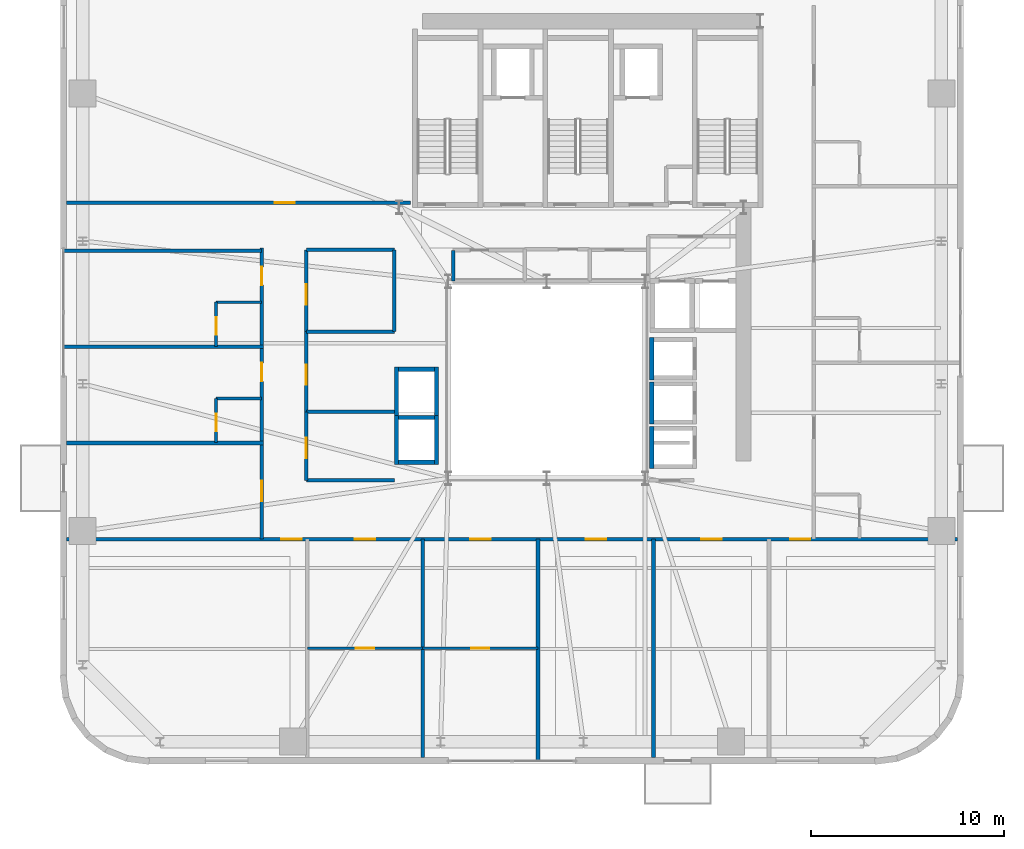
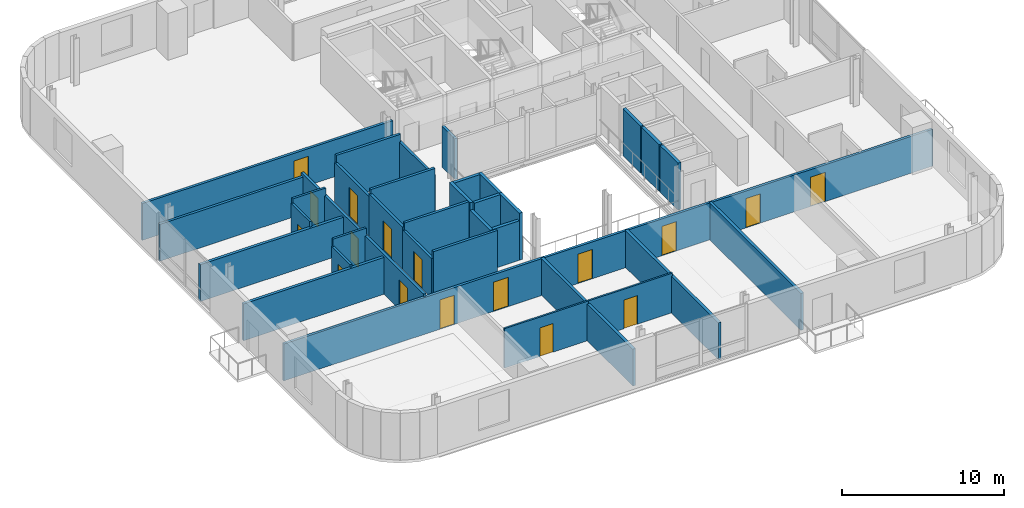
# One storey, part 8 of 15: 34 walls, 17 doors, 17 openings.
"""IFC4 building model written with IfcOpenShell, lengths in metres."""

from ifc_helpers import new_model, si_unit, direction, frame, frame_2d, origin, place, context, subcontext, project, spatial, rectangle, extrude, source, transform, mapped, material, layer, layer_set, type_object, element, fill, save


model = new_model("IFC4")

# Units and contexts
model_context = context("Model", 3, precision=1e-05, world=origin(), true_north=direction((0.0, 1.0)))
body_context = subcontext(model_context, "Body", "Model", "MODEL_VIEW")
ifc_project = project(units=[si_unit("LENGTHUNIT", "METRE"), si_unit("AREAUNIT", "SQUARE_METRE"), si_unit("VOLUMEUNIT", "CUBIC_METRE"), si_unit("PLANEANGLEUNIT", "RADIAN"), si_unit("MASSUNIT", "GRAM", prefix="KILO")], contexts=[model_context])

# Site, building, storey
site_placement = place(None, origin())
site = spatial("IfcSite", under=ifc_project, at=site_placement, CompositionType="ELEMENT")
building_placement = place(site_placement, origin())
building = spatial("IfcBuilding", under=site, at=building_placement, Name="Vardaveli Station Tower", CompositionType="ELEMENT")
storey_placement = place(building_placement, frame((0.0, 0.0, 207.300048828125)))
storey = spatial("IfcBuildingStorey", under=building, at=storey_placement, Name="L53", CompositionType="ELEMENT", Elevation=207.300048828125)

# Walls
ifc_material_1 = material(Name="Concrete C40/50", Category="concrete")
ifc_layer_1 = layer(ifc_material_1, 0.219970703125, Name="Concrete C40/50")
ifc_layer_set_1 = layer_set([ifc_layer_1], Name="Concrete C40/50")
wall_type_1 = type_object("IfcWallType", Name="WAL-FFLOBBY-220", PredefinedType="SOLIDWALL", material=ifc_layer_set_1)
shared_shape_1 = source(origin(), body_context, "Body", "SweptSolid", [
    extrude(rectangle(XDim=2.18994140625, YDim=0.219970703125, at=frame_2d((1.094970703125, 0.0))), origin(), (0.0, 0.0, 1.0), 3.530029296875),
])
for number, where, z_axis, x_axis, name in (
    (1, (41.739990234375, 21.705078125, 0.0), (0.0, 0.0, 1.0), (0.0, 1.0, 0.0), "SHW-HL3-01-L53-W"),
    (2, (41.739990234375, 19.405029296875, 0.0), (0.0, 0.0, 1.0), (0.0, 1.0, 0.0), "SHW-HL3-02-L53-W"),
    (3, (41.739990234375, 17.10498046875, 0.0), (0.0, 0.0, 1.0), (0.0, 1.0, 0.0), "SHW-HL3-03-L53-W"),
):
    element("IfcWall", number, at=place(storey_placement, frame(where, z_axis=z_axis, x_axis=x_axis)), inside=storey, type_object=wall_type_1, Name=name, PredefinedType="SOLIDWALL", context=body_context, shape_type="MappedRepresentation", body=[
        mapped(shared_shape_1, transform((0.0, 0.0, 0.0), scale=1.0)),
    ])
shared_shape_2 = source(origin(), body_context, "Body", "SweptSolid", [
    extrude(rectangle(XDim=1.85009765625, YDim=0.219970703125, at=frame_2d((0.925048828125, 0.0))), origin(), (0.0, 0.0, 1.0), 2.971923828125),
])
wall_1_placement = place(storey_placement, frame((28.625, 17.43994140625, 0.0), z_axis=(0.0, 0.0, 1.0), x_axis=(1.0, 0.0, 0.0)))
element("IfcWall", 4, at=wall_1_placement, inside=storey, type_object=wall_type_1, Name="SHW-OBS-01-L53-S", PredefinedType="SOLIDWALL", context=body_context, shape_type="MappedRepresentation", body=[
    mapped(shared_shape_2, transform((0.0, 0.0, 0.0), scale=1.0)),
])
shared_shape_3 = source(origin(), body_context, "Body", "SweptSolid", [
    extrude(rectangle(XDim=1.85009765625, YDim=0.219970703125, at=frame_2d((0.925048828125, 0.0))), origin(), (0.0, 0.0, 1.0), 3.530029296875),
])
for number, where, z_axis, x_axis, name in (
    (5, (28.625, 19.760009765625, 0.0), (0.0, 0.0, 1.0), (1.0, 0.0, 0.0), "SHW-OBS-01-L53-N"),
    (6, (28.625, 22.260009765625, 0.0), (0.0, 0.0, 1.0), (1.0, 0.0, 0.0), "SHW-OBS-02-L53-N"),
):
    element("IfcWall", number, at=place(storey_placement, frame(where, z_axis=z_axis, x_axis=x_axis)), inside=storey, type_object=wall_type_1, Name=name, PredefinedType="SOLIDWALL", context=body_context, shape_type="MappedRepresentation", body=[
        mapped(shared_shape_3, transform((0.0, 0.0, 0.0), scale=1.0)),
    ])
shared_shape_4 = source(origin(), body_context, "Body", "SweptSolid", [
    extrude(rectangle(XDim=2.5400390625, YDim=0.219970703125, at=frame_2d((1.27001953125, 0.0))), origin(), (0.0, 0.0, 1.0), 2.971923828125),
])
wall_2_placement = place(storey_placement, frame((28.514892578125, 17.330078125, 0.0), z_axis=(0.0, 0.0, 1.0), x_axis=(0.0, 1.0, 0.0)))
element("IfcWall", 7, at=wall_2_placement, inside=storey, type_object=wall_type_1, Name="SHW-OBS-01-L53-W", PredefinedType="SOLIDWALL", context=body_context, shape_type="MappedRepresentation", body=[
    mapped(shared_shape_4, transform((0.0, 0.0, 0.0), scale=1.0)),
])
shared_shape_5 = source(origin(), body_context, "Body", "SweptSolid", [
    extrude(rectangle(XDim=2.5400390625, YDim=0.219970703125, at=frame_2d((1.27001953125, 0.0))), origin(), (0.0, 0.0, 1.0), 3.530029296875),
])
for number, where, z_axis, x_axis, name in (
    (8, (30.5849609375, 17.330078125, 0.0), (0.0, 0.0, 1.0), (0.0, 1.0, 0.0), "SHW-OBS-01-L53-E"),
    (9, (28.514892578125, 19.830078125, 0.0), (0.0, 0.0, 1.0), (0.0, 1.0, 0.0), "SHW-OBS-02-L53-W"),
    (10, (30.5849609375, 19.830078125, 0.0), (0.0, 0.0, 1.0), (0.0, 1.0, 0.0), "SHW-OBS-02-L53-E"),
):
    element("IfcWall", number, at=place(storey_placement, frame(where, z_axis=z_axis, x_axis=x_axis)), inside=storey, type_object=wall_type_1, Name=name, PredefinedType="SOLIDWALL", context=body_context, shape_type="MappedRepresentation", body=[
        mapped(shared_shape_5, transform((0.0, 0.0, 0.0), scale=1.0)),
    ])

# Wall, openings, doors
ifc_material_2 = material(Name="Fire-rated gypsum stud partition")
ifc_layer_2 = layer(ifc_material_2, 0.179931640625, Name="Fire-rated gypsum stud partition")
ifc_layer_set_2 = layer_set([ifc_layer_2], Name="Fire-rated gypsum stud partition")
wall_type_2 = type_object("IfcWallType", Name="WAL-CORR-180", PredefinedType="PARTITIONING", material=ifc_layer_set_2)
shared_shape_6 = source(origin(), body_context, "Body", "SweptSolid", [
    extrude(rectangle(XDim=46.15576171875, YDim=0.179931640625, at=frame_2d((23.077880859375, 0.0))), origin(), (0.0, 0.0, 1.0), 2.77197265625),
])
wall_3_placement = place(storey_placement, frame((11.422119140625, 13.449951171875, 0.0), z_axis=(0.0, 0.0, 1.0), x_axis=(1.0, 0.0, 0.0)))
wall_3 = element("IfcWall", 11, at=wall_3_placement, inside=storey, type_object=wall_type_2, Name="W-L53-CS", PredefinedType="PARTITIONING", context=body_context, shape_type="MappedRepresentation", body=[
    mapped(shared_shape_6, transform((0.0, 0.0, 0.0), scale=1.0)),
])
shared_shape_7 = source(origin(), body_context, "Body", "SweptSolid", [
    extrude(rectangle(XDim=1.050048828125, YDim=2.199951171875, at=frame_2d((0.52490234375, 1.10009765625))), frame((0.0, 0.10009765625, 0.0), z_axis=(0.0, -1.0, 0.0), x_axis=(1.0, 0.0, 0.0)), (0.0, 0.0, 1.0), 0.199951171875),
])
opening_1_placement = place(wall_3_placement, frame((11.117919921875, 0.0, 0.0)))
opening_1 = element("IfcOpeningElement", 12, at=opening_1_placement, cuts=wall_3, Name="Opening D-05", PredefinedType="OPENING", context=body_context, shape_type="MappedRepresentation", body=[
    mapped(shared_shape_7, transform((0.0, 0.0, 0.0), scale=1.0)),
])
opening_2_placement = place(wall_3_placement, frame((14.939208984375, 0.0, 0.0)))
opening_2 = element("IfcOpeningElement", 13, at=opening_2_placement, cuts=wall_3, Name="Opening D-05", PredefinedType="OPENING", context=body_context, shape_type="MappedRepresentation", body=[
    mapped(shared_shape_7, transform((0.0, 0.0, 0.0), scale=1.0)),
])
opening_3_placement = place(wall_3_placement, frame((20.921630859375, 0.0, 0.0)))
opening_3 = element("IfcOpeningElement", 14, at=opening_3_placement, cuts=wall_3, Name="Opening D-05", PredefinedType="OPENING", context=body_context, shape_type="MappedRepresentation", body=[
    mapped(shared_shape_7, transform((0.0, 0.0, 0.0), scale=1.0)),
])
opening_4_placement = place(wall_3_placement, frame((26.904296875, 0.0, 0.0)))
opening_4 = element("IfcOpeningElement", 15, at=opening_4_placement, cuts=wall_3, Name="Opening D-05", PredefinedType="OPENING", context=body_context, shape_type="MappedRepresentation", body=[
    mapped(shared_shape_7, transform((0.0, 0.0, 0.0), scale=1.0)),
])
opening_5_placement = place(wall_3_placement, frame((32.88671875, 0.0, 0.0)))
opening_5 = element("IfcOpeningElement", 16, at=opening_5_placement, cuts=wall_3, Name="Opening D-05", PredefinedType="OPENING", context=body_context, shape_type="MappedRepresentation", body=[
    mapped(shared_shape_7, transform((0.0, 0.0, 0.0), scale=1.0)),
])
opening_6_placement = place(wall_3_placement, frame((37.498046875, 0.0, 0.0)))
opening_6 = element("IfcOpeningElement", 17, at=opening_6_placement, cuts=wall_3, Name="Opening D-05", PredefinedType="OPENING", context=body_context, shape_type="MappedRepresentation", body=[
    mapped(shared_shape_7, transform((0.0, 0.0, 0.0), scale=1.0)),
])
ifc_material_3 = material(Name="Walnut veneer acoustic fire door")
door_type_1 = type_object("IfcDoorType", Name="DR-SUITE-1050x2200", OperationType="NOTDEFINED", PredefinedType="DOOR", material=ifc_material_3)
shared_shape_8 = source(origin(), body_context, "Body", "SweptSolid", [
    extrude(rectangle(XDim=1.050048828125, YDim=2.199951171875, at=frame_2d((0.52490234375, 1.10009765625))), frame((0.0, 0.02490234375, 0.0), z_axis=(0.0, -1.0, 0.0), x_axis=(1.0, 0.0, 0.0)), (0.0, 0.0, 1.0), 0.050048828125),
])
door_1_placement = place(opening_1_placement, origin())
door_1 = element("IfcDoor", 18, at=door_1_placement, inside=storey, type_object=door_type_1, Name="D-L53-SA1", OperationType="SINGLE_SWING_LEFT", OverallHeight=2.199951171875, OverallWidth=1.050048828125, PredefinedType="DOOR", context=body_context, shape_type="MappedRepresentation", body=[
    mapped(shared_shape_8, transform((0.0, 0.0, 0.0), scale=1.0)),
])
fill(opening_1, door_1)
door_2_placement = place(opening_2_placement, origin())
door_2 = element("IfcDoor", 19, at=door_2_placement, inside=storey, type_object=door_type_1, Name="D-L53-SCB2", OperationType="SINGLE_SWING_RIGHT", OverallHeight=2.199951171875, OverallWidth=1.050048828125, PredefinedType="DOOR", context=body_context, shape_type="MappedRepresentation", body=[
    mapped(shared_shape_8, transform((0.0, 0.0, 0.0), scale=1.0)),
])
fill(opening_2, door_2)
door_3_placement = place(opening_3_placement, origin())
door_3 = element("IfcDoor", 20, at=door_3_placement, inside=storey, type_object=door_type_1, Name="D-L53-SCB3", OperationType="SINGLE_SWING_LEFT", OverallHeight=2.199951171875, OverallWidth=1.050048828125, PredefinedType="DOOR", context=body_context, shape_type="MappedRepresentation", body=[
    mapped(shared_shape_8, transform((0.0, 0.0, 0.0), scale=1.0)),
])
fill(opening_3, door_3)
door_4_placement = place(opening_4_placement, origin())
door_4 = element("IfcDoor", 21, at=door_4_placement, inside=storey, type_object=door_type_1, Name="D-L53-SA4", OperationType="SINGLE_SWING_RIGHT", OverallHeight=2.199951171875, OverallWidth=1.050048828125, PredefinedType="DOOR", context=body_context, shape_type="MappedRepresentation", body=[
    mapped(shared_shape_8, transform((0.0, 0.0, 0.0), scale=1.0)),
])
fill(opening_4, door_4)
door_5_placement = place(opening_5_placement, origin())
door_5 = element("IfcDoor", 22, at=door_5_placement, inside=storey, type_object=door_type_1, Name="D-L53-SA5", OperationType="SINGLE_SWING_LEFT", OverallHeight=2.199951171875, OverallWidth=1.050048828125, PredefinedType="DOOR", context=body_context, shape_type="MappedRepresentation", body=[
    mapped(shared_shape_8, transform((0.0, 0.0, 0.0), scale=1.0)),
])
fill(opening_5, door_5)
door_6_placement = place(opening_6_placement, origin())
door_6 = element("IfcDoor", 23, at=door_6_placement, inside=storey, type_object=door_type_1, Name="D-L53-SA6", OperationType="SINGLE_SWING_RIGHT", OverallHeight=2.199951171875, OverallWidth=1.050048828125, PredefinedType="DOOR", context=body_context, shape_type="MappedRepresentation", body=[
    mapped(shared_shape_8, transform((0.0, 0.0, 0.0), scale=1.0)),
])
fill(opening_6, door_6)

# Wall, opening, door
shared_shape_9 = source(origin(), body_context, "Body", "SweptSolid", [
    extrude(rectangle(XDim=17.827880859375, YDim=0.179931640625, at=frame_2d((8.9140625, 0.0))), origin(), (0.0, 0.0, 1.0), 2.77197265625),
])
wall_4_placement = place(storey_placement, frame((11.422119140625, 30.8798828125, 0.0), z_axis=(0.0, 0.0, 1.0), x_axis=(1.0, 0.0, 0.0)))
wall_4 = element("IfcWall", 24, at=wall_4_placement, inside=storey, type_object=wall_type_2, Name="W-L53-CNWS", PredefinedType="PARTITIONING", context=body_context, shape_type="MappedRepresentation", body=[
    mapped(shared_shape_9, transform((0.0, 0.0, 0.0), scale=1.0)),
])
opening_7_placement = place(wall_4_placement, frame((10.778076171875, 0.0, 0.0)))
opening_7 = element("IfcOpeningElement", 25, at=opening_7_placement, cuts=wall_4, Name="Opening D-05", PredefinedType="OPENING", context=body_context, shape_type="MappedRepresentation", body=[
    mapped(shared_shape_7, transform((0.0, 0.0, 0.0), scale=1.0)),
])
door_7_placement = place(opening_7_placement, origin())
door_7 = element("IfcDoor", 26, at=door_7_placement, inside=storey, type_object=door_type_1, Name="D-L53-GNW1", OperationType="SINGLE_SWING_LEFT", OverallHeight=2.199951171875, OverallWidth=1.050048828125, PredefinedType="DOOR", context=body_context, shape_type="MappedRepresentation", body=[
    mapped(shared_shape_8, transform((0.0, 0.0, 0.0), scale=1.0)),
])
fill(opening_7, door_7)

shared_shape_10 = source(origin(), body_context, "Body", "SweptSolid", [
    extrude(rectangle(XDim=4.239990234375, YDim=0.179931640625, at=frame_2d((2.1201171875, 0.0))), origin(), (0.0, 0.0, 1.0), 2.971923828125),
])
wall_5_placement = place(storey_placement, frame((23.840087890625, 24.199951171875, 0.0), z_axis=(0.0, 0.0, 1.0), x_axis=(0.0, 1.0, 0.0)))
wall_5 = element("IfcWall", 27, at=wall_5_placement, inside=storey, type_object=wall_type_2, Name="W-L53-ATWC-W", PredefinedType="PARTITIONING", context=body_context, shape_type="MappedRepresentation", body=[
    mapped(shared_shape_10, transform((0.0, 0.0, 0.0), scale=1.0)),
])
opening_8_placement = place(wall_5_placement, frame((1.39990234375, 0.0, 0.0)))
opening_8 = element("IfcOpeningElement", 28, at=opening_8_placement, cuts=wall_5, Name="Opening D-05", PredefinedType="OPENING", context=body_context, shape_type="MappedRepresentation", body=[
    mapped(shared_shape_7, transform((0.0, 0.0, 0.0), scale=1.0)),
])
door_8_placement = place(opening_8_placement, origin())
door_8 = element("IfcDoor", 29, at=door_8_placement, inside=storey, type_object=door_type_1, Name="D-L53-ATW3", OperationType="SINGLE_SWING_RIGHT", OverallHeight=2.199951171875, OverallWidth=1.050048828125, PredefinedType="DOOR", context=body_context, shape_type="MappedRepresentation", body=[
    mapped(shared_shape_8, transform((0.0, 0.0, 0.0), scale=1.0)),
])
fill(opening_8, door_8)

# Wall
wall_6_placement = place(storey_placement, frame((28.39990234375, 24.199951171875, 0.0), z_axis=(0.0, 0.0, 1.0), x_axis=(0.0, 1.0, 0.0)))
element("IfcWall", 30, at=wall_6_placement, inside=storey, type_object=wall_type_2, Name="W-L53-ATWC-E", PredefinedType="PARTITIONING", context=body_context, shape_type="MappedRepresentation", body=[
    mapped(shared_shape_10, transform((0.0, 0.0, 0.0), scale=1.0)),
])

# Wall, opening, door
shared_shape_11 = source(origin(), body_context, "Body", "SweptSolid", [
    extrude(rectangle(XDim=4.14990234375, YDim=0.179931640625, at=frame_2d((2.074951171875, 0.0))), origin(), (0.0, 0.0, 1.0), 3.19189453125),
])
wall_7_placement = place(storey_placement, frame((23.840087890625, 20.050048828125, 0.0), z_axis=(0.0, 0.0, 1.0), x_axis=(0.0, 1.0, 0.0)))
wall_7 = element("IfcWall", 31, at=wall_7_placement, inside=storey, type_object=wall_type_2, Name="W-L53-ATWB-W", PredefinedType="PARTITIONING", context=body_context, shape_type="MappedRepresentation", body=[
    mapped(shared_shape_11, transform((0.0, 0.0, 0.0), scale=1.0)),
])
opening_9_placement = place(wall_7_placement, frame((1.39990234375, 0.0, 0.0)))
opening_9 = element("IfcOpeningElement", 32, at=opening_9_placement, cuts=wall_7, Name="Opening D-05", PredefinedType="OPENING", context=body_context, shape_type="MappedRepresentation", body=[
    mapped(shared_shape_7, transform((0.0, 0.0, 0.0), scale=1.0)),
])
door_9_placement = place(opening_9_placement, origin())
door_9 = element("IfcDoor", 33, at=door_9_placement, inside=storey, type_object=door_type_1, Name="D-L53-ATW2", OperationType="SINGLE_SWING_LEFT", OverallHeight=2.199951171875, OverallWidth=1.050048828125, PredefinedType="DOOR", context=body_context, shape_type="MappedRepresentation", body=[
    mapped(shared_shape_8, transform((0.0, 0.0, 0.0), scale=1.0)),
])
fill(opening_9, door_9)

shared_shape_12 = source(origin(), body_context, "Body", "SweptSolid", [
    extrude(rectangle(XDim=3.550048828125, YDim=0.179931640625, at=frame_2d((1.77490234375, 0.0))), origin(), (0.0, 0.0, 1.0), 2.971923828125),
])
wall_8_placement = place(storey_placement, frame((23.840087890625, 16.5, 0.0), z_axis=(0.0, 0.0, 1.0), x_axis=(0.0, 1.0, 0.0)))
wall_8 = element("IfcWall", 34, at=wall_8_placement, inside=storey, type_object=wall_type_2, Name="W-L53-ATWA-W", PredefinedType="PARTITIONING", context=body_context, shape_type="MappedRepresentation", body=[
    mapped(shared_shape_12, transform((0.0, 0.0, 0.0), scale=1.0)),
])
opening_10_placement = place(wall_8_placement, frame((1.14990234375, 0.0, 0.0)))
opening_10 = element("IfcOpeningElement", 35, at=opening_10_placement, cuts=wall_8, Name="Opening D-05", PredefinedType="OPENING", context=body_context, shape_type="MappedRepresentation", body=[
    mapped(shared_shape_7, transform((0.0, 0.0, 0.0), scale=1.0)),
])
door_10_placement = place(opening_10_placement, origin())
door_10 = element("IfcDoor", 36, at=door_10_placement, inside=storey, type_object=door_type_1, Name="D-L53-ATW1", OperationType="SINGLE_SWING_LEFT", OverallHeight=2.199951171875, OverallWidth=1.050048828125, PredefinedType="DOOR", context=body_context, shape_type="MappedRepresentation", body=[
    mapped(shared_shape_8, transform((0.0, 0.0, 0.0), scale=1.0)),
])
fill(opening_10, door_10)

ifc_material_4 = material(Name="Moisture-resistant stud partition")
ifc_layer_3 = layer(ifc_material_4, 0.14990234375, Name="Moisture-resistant stud partition")
ifc_layer_set_3 = layer_set([ifc_layer_3], Name="Moisture-resistant stud partition")
wall_type_3 = type_object("IfcWallType", Name="WAL-WET-150", PredefinedType="PARTITIONING", material=ifc_layer_set_3)
shared_shape_13 = source(origin(), body_context, "Body", "SweptSolid", [
    extrude(rectangle(XDim=2.2900390625, YDim=0.14990234375, at=frame_2d((1.14501953125, 0.0))), origin(), (0.0, 0.0, 1.0), 2.971923828125),
])
wall_9_placement = place(storey_placement, frame((19.159912109375, 18.452880859375, 0.0), z_axis=(0.0, 0.0, 1.0), x_axis=(0.0, 1.0, 0.0)))
wall_9 = element("IfcWall", 37, at=wall_9_placement, inside=storey, type_object=wall_type_3, Name="W-L53-BW2-W", PredefinedType="PARTITIONING", context=body_context, shape_type="MappedRepresentation", body=[
    mapped(shared_shape_13, transform((0.0, 0.0, 0.0), scale=1.0)),
])
shared_shape_14 = source(origin(), body_context, "Body", "SweptSolid", [
    extrude(rectangle(XDim=0.89990234375, YDim=2.10009765625, at=frame_2d((0.449951171875, 1.050048828125))), frame((0.0, 0.0849609375, 0.0), z_axis=(0.0, -1.0, 0.0), x_axis=(1.0, 0.0, 0.0)), (0.0, 0.0, 1.0), 0.169921875),
])
opening_11_placement = place(wall_9_placement, frame((0.60009765625, 0.0, 0.0)))
opening_11 = element("IfcOpeningElement", 38, at=opening_11_placement, cuts=wall_9, Name="Opening D-08", PredefinedType="OPENING", context=body_context, shape_type="MappedRepresentation", body=[
    mapped(shared_shape_14, transform((0.0, 0.0, 0.0), scale=1.0)),
])
ifc_material_5 = material(Name="Moisture-resistant oak door")
door_type_2 = type_object("IfcDoorType", Name="DR-BATH-900x2100", OperationType="NOTDEFINED", PredefinedType="DOOR", material=ifc_material_5)
shared_shape_15 = source(origin(), body_context, "Body", "SweptSolid", [
    extrude(rectangle(XDim=0.89990234375, YDim=2.10009765625, at=frame_2d((0.449951171875, 1.050048828125))), frame((0.0, 0.02490234375, 0.0), z_axis=(0.0, -1.0, 0.0), x_axis=(1.0, 0.0, 0.0)), (0.0, 0.0, 1.0), 0.050048828125),
])
door_11_placement = place(opening_11_placement, origin())
door_11 = element("IfcDoor", 39, at=door_11_placement, inside=storey, type_object=door_type_2, Name="D-L53-BW2", OperationType="SINGLE_SWING_RIGHT", OverallHeight=2.10009765625, OverallWidth=0.89990234375, PredefinedType="DOOR", context=body_context, shape_type="MappedRepresentation", body=[
    mapped(shared_shape_15, transform((0.0, 0.0, 0.0), scale=1.0)),
])
fill(opening_11, door_11)

# Walls
shared_shape_16 = source(origin(), body_context, "Body", "SweptSolid", [
    extrude(rectangle(XDim=2.360107421875, YDim=0.14990234375, at=frame_2d((1.18017578125, 0.0))), origin(), (0.0, 0.0, 1.0), 3.530029296875),
])
for number, where, z_axis, x_axis, name in (
    (40, (19.159912109375, 20.742919921875, 0.0), (0.0, 0.0, 1.0), (1.0, 0.0, 0.0), "W-L53-BW2-N"),
    (41, (19.159912109375, 25.72705078125, 0.0), (0.0, 0.0, 1.0), (1.0, 0.0, 0.0), "W-L53-BW3-N"),
):
    element("IfcWall", number, at=place(storey_placement, frame(where, z_axis=z_axis, x_axis=x_axis)), inside=storey, type_object=wall_type_3, Name=name, PredefinedType="PARTITIONING", context=body_context, shape_type="MappedRepresentation", body=[
        mapped(shared_shape_16, transform((0.0, 0.0, 0.0), scale=1.0)),
    ])
shared_shape_17 = source(origin(), body_context, "Body", "SweptSolid", [
    extrude(rectangle(XDim=1.599853515625, YDim=0.179931640625, at=frame_2d((0.7998046875, 0.0))), origin(), (0.0, 0.0, 1.0), 3.072021484375),
])
wall_10_placement = place(storey_placement, frame((31.449951171875, 26.820068359375, 0.0), z_axis=(0.0, 0.0, 1.0), x_axis=(0.0, 1.0, 0.0)))
element("IfcWall", 42, at=wall_10_placement, inside=storey, type_object=wall_type_2, Name="W-L53-CS2A-W", PredefinedType="PARTITIONING", context=body_context, shape_type="MappedRepresentation", body=[
    mapped(shared_shape_17, transform((0.0, 0.0, 0.0), scale=1.0)),
])

# Wall, openings, doors
shared_shape_18 = source(origin(), body_context, "Body", "SweptSolid", [
    extrude(rectangle(XDim=15.10009765625, YDim=0.179931640625, at=frame_2d((7.550048828125, 0.0))), origin(), (0.0, 0.0, 1.0), 2.971923828125),
])
wall_11_placement = place(storey_placement, frame((21.52001953125, 13.449951171875, 0.0), z_axis=(0.0, 0.0, 1.0), x_axis=(0.0, 1.0, 0.0)))
wall_11 = element("IfcWall", 43, at=wall_11_placement, inside=storey, type_object=wall_type_2, Name="W-L53-CW", PredefinedType="PARTITIONING", context=body_context, shape_type="MappedRepresentation", body=[
    mapped(shared_shape_18, transform((0.0, 0.0, 0.0), scale=1.0)),
])
opening_12_placement = place(wall_11_placement, frame((1.9716796875, 0.0, 0.0)))
opening_12 = element("IfcOpeningElement", 44, at=opening_12_placement, cuts=wall_11, Name="Opening D-05", PredefinedType="OPENING", context=body_context, shape_type="MappedRepresentation", body=[
    mapped(shared_shape_7, transform((0.0, 0.0, 0.0), scale=1.0)),
])
shared_shape_19 = source(origin(), body_context, "Body", "SweptSolid", [
    extrude(rectangle(XDim=0.949951171875, YDim=2.14990234375, at=frame_2d((0.47509765625, 1.074951171875))), frame((0.0, 0.10009765625, 0.0), z_axis=(0.0, -1.0, 0.0), x_axis=(1.0, 0.0, 0.0)), (0.0, 0.0, 1.0), 0.199951171875),
])
opening_13_placement = place(wall_11_placement, frame((8.179931640625, 0.0, 0.0)))
opening_13 = element("IfcOpeningElement", 45, at=opening_13_placement, cuts=wall_11, Name="Opening D-06", PredefinedType="OPENING", context=body_context, shape_type="MappedRepresentation", body=[
    mapped(shared_shape_19, transform((0.0, 0.0, 0.0), scale=1.0)),
])
opening_14_placement = place(wall_11_placement, frame((13.163330078125, 0.0, 0.0)))
opening_14 = element("IfcOpeningElement", 46, at=opening_14_placement, cuts=wall_11, Name="Opening D-06", PredefinedType="OPENING", context=body_context, shape_type="MappedRepresentation", body=[
    mapped(shared_shape_19, transform((0.0, 0.0, 0.0), scale=1.0)),
])
door_12_placement = place(opening_12_placement, origin())
door_12 = element("IfcDoor", 47, at=door_12_placement, inside=storey, type_object=door_type_1, Name="D-L53-GW1", OperationType="SINGLE_SWING_RIGHT", OverallHeight=2.199951171875, OverallWidth=1.050048828125, PredefinedType="DOOR", context=body_context, shape_type="MappedRepresentation", body=[
    mapped(shared_shape_8, transform((0.0, 0.0, 0.0), scale=1.0)),
])
fill(opening_12, door_12)
ifc_material_6 = material(Name="Oak veneer acoustic fire door")
door_type_3 = type_object("IfcDoorType", Name="DR-GUEST-950x2150", OperationType="NOTDEFINED", PredefinedType="DOOR", material=ifc_material_6)
shared_shape_20 = source(origin(), body_context, "Body", "SweptSolid", [
    extrude(rectangle(XDim=0.949951171875, YDim=2.14990234375, at=frame_2d((0.47509765625, 1.074951171875))), frame((0.0, 0.02490234375, 0.0), z_axis=(0.0, -1.0, 0.0), x_axis=(1.0, 0.0, 0.0)), (0.0, 0.0, 1.0), 0.050048828125),
])
door_13_placement = place(opening_13_placement, origin())
door_13 = element("IfcDoor", 48, at=door_13_placement, inside=storey, type_object=door_type_3, Name="D-L53-GW2", OperationType="SINGLE_SWING_LEFT", OverallHeight=2.14990234375, OverallWidth=0.949951171875, PredefinedType="DOOR", context=body_context, shape_type="MappedRepresentation", body=[
    mapped(shared_shape_20, transform((0.0, 0.0, 0.0), scale=1.0)),
])
fill(opening_13, door_13)
door_14_placement = place(opening_14_placement, origin())
door_14 = element("IfcDoor", 49, at=door_14_placement, inside=storey, type_object=door_type_3, Name="D-L53-GW3", OperationType="SINGLE_SWING_RIGHT", OverallHeight=2.14990234375, OverallWidth=0.949951171875, PredefinedType="DOOR", context=body_context, shape_type="MappedRepresentation", body=[
    mapped(shared_shape_20, transform((0.0, 0.0, 0.0), scale=1.0)),
])
fill(opening_14, door_14)

# Wall, opening, door
ifc_material_7 = material(Name="Gypsum board stud partition")
ifc_layer_4 = layer(ifc_material_7, 0.125, Name="Gypsum board stud partition")
ifc_layer_set_4 = layer_set([ifc_layer_4], Name="Gypsum board stud partition")
wall_type_4 = type_object("IfcWallType", Name="WAL-INT-125", PredefinedType="PARTITIONING", material=ifc_layer_set_4)
shared_shape_21 = source(origin(), body_context, "Body", "SweptSolid", [
    extrude(rectangle(XDim=5.98291015625, YDim=0.125, at=frame_2d((2.991455078125, 0.0))), origin(), (0.0, 0.0, 1.0), 2.971923828125),
])
wall_12_placement = place(storey_placement, frame((29.8720703125, 7.800048828125, 0.0), z_axis=(0.0, 0.0, 1.0), x_axis=(1.0, 0.0, 0.0)))
wall_12 = element("IfcWall", 50, at=wall_12_placement, inside=storey, type_object=wall_type_4, Name="W-L53-SCM3", PredefinedType="PARTITIONING", context=body_context, shape_type="MappedRepresentation", body=[
    mapped(shared_shape_21, transform((0.0, 0.0, 0.0), scale=1.0)),
])
shared_shape_22 = source(origin(), body_context, "Body", "SweptSolid", [
    extrude(rectangle(XDim=0.949951171875, YDim=2.14990234375, at=frame_2d((0.47509765625, 1.074951171875))), frame((0.0, 0.072509765625, 0.0), z_axis=(0.0, -1.0, 0.0), x_axis=(1.0, 0.0, 0.0)), (0.0, 0.0, 1.0), 0.14501953125),
])
opening_15_placement = place(wall_12_placement, frame((2.51123046875, 0.0, 0.0)))
opening_15 = element("IfcOpeningElement", 51, at=opening_15_placement, cuts=wall_12, Name="Opening D-11", PredefinedType="OPENING", context=body_context, shape_type="MappedRepresentation", body=[
    mapped(shared_shape_22, transform((0.0, 0.0, 0.0), scale=1.0)),
])
ifc_material_8 = material(Name="Oak veneer internal suite door")
door_type_4 = type_object("IfcDoorType", Name="DR-INT-950x2150", OperationType="NOTDEFINED", PredefinedType="DOOR", material=ifc_material_8)
door_15_placement = place(opening_15_placement, origin())
door_15 = element("IfcDoor", 52, at=door_15_placement, inside=storey, type_object=door_type_4, Name="D-L53-SCF3", OperationType="SINGLE_SWING_LEFT", OverallHeight=2.14990234375, OverallWidth=0.949951171875, PredefinedType="DOOR", context=body_context, shape_type="MappedRepresentation", body=[
    mapped(shared_shape_20, transform((0.0, 0.0, 0.0), scale=1.0)),
])
fill(opening_15, door_15)

shared_shape_23 = source(origin(), body_context, "Body", "SweptSolid", [
    extrude(rectangle(XDim=5.982177734375, YDim=0.125, at=frame_2d((2.9912109375, 0.0))), origin(), (0.0, 0.0, 1.0), 2.971923828125),
])
wall_13_placement = place(storey_placement, frame((23.889892578125, 7.800048828125, 0.0), z_axis=(0.0, 0.0, 1.0), x_axis=(1.0, 0.0, 0.0)))
wall_13 = element("IfcWall", 53, at=wall_13_placement, inside=storey, type_object=wall_type_4, Name="W-L53-SCM2", PredefinedType="PARTITIONING", context=body_context, shape_type="MappedRepresentation", body=[
    mapped(shared_shape_23, transform((0.0, 0.0, 0.0), scale=1.0)),
])
opening_16_placement = place(wall_13_placement, frame((2.51123046875, 0.0, 0.0)))
opening_16 = element("IfcOpeningElement", 54, at=opening_16_placement, cuts=wall_13, Name="Opening D-11", PredefinedType="OPENING", context=body_context, shape_type="MappedRepresentation", body=[
    mapped(shared_shape_22, transform((0.0, 0.0, 0.0), scale=1.0)),
])
door_16_placement = place(opening_16_placement, origin())
door_16 = element("IfcDoor", 55, at=door_16_placement, inside=storey, type_object=door_type_4, Name="D-L53-SCF2", OperationType="SINGLE_SWING_RIGHT", OverallHeight=2.14990234375, OverallWidth=0.949951171875, PredefinedType="DOOR", context=body_context, shape_type="MappedRepresentation", body=[
    mapped(shared_shape_20, transform((0.0, 0.0, 0.0), scale=1.0)),
])
fill(opening_16, door_16)

shared_shape_24 = source(origin(), body_context, "Body", "SweptSolid", [
    extrude(rectangle(XDim=2.2900390625, YDim=0.14990234375, at=frame_2d((1.14501953125, 0.0))), origin(), (0.0, 0.0, 1.0), 3.19189453125),
])
wall_14_placement = place(storey_placement, frame((19.159912109375, 23.43701171875, 0.0), z_axis=(0.0, 0.0, 1.0), x_axis=(0.0, 1.0, 0.0)))
wall_14 = element("IfcWall", 56, at=wall_14_placement, inside=storey, type_object=wall_type_3, Name="W-L53-BW3-W", PredefinedType="PARTITIONING", context=body_context, shape_type="MappedRepresentation", body=[
    mapped(shared_shape_24, transform((0.0, 0.0, 0.0), scale=1.0)),
])
opening_17_placement = place(wall_14_placement, frame((0.60009765625, 0.0, 0.0)))
opening_17 = element("IfcOpeningElement", 57, at=opening_17_placement, cuts=wall_14, Name="Opening D-08", PredefinedType="OPENING", context=body_context, shape_type="MappedRepresentation", body=[
    mapped(shared_shape_14, transform((0.0, 0.0, 0.0), scale=1.0)),
])
door_17_placement = place(opening_17_placement, origin())
door_17 = element("IfcDoor", 58, at=door_17_placement, inside=storey, type_object=door_type_2, Name="D-L53-BW3", OperationType="SINGLE_SWING_LEFT", OverallHeight=2.10009765625, OverallWidth=0.89990234375, PredefinedType="DOOR", context=body_context, shape_type="MappedRepresentation", body=[
    mapped(shared_shape_15, transform((0.0, 0.0, 0.0), scale=1.0)),
])
fill(opening_17, door_17)

# Walls
ifc_material_9 = material(Name="Acoustic twin-stud gypsum partition")
ifc_layer_5 = layer(ifc_material_9, 0.199951171875, Name="Acoustic twin-stud gypsum partition")
ifc_layer_set_5 = layer_set([ifc_layer_5], Name="Acoustic twin-stud gypsum partition")
wall_type_5 = type_object("IfcWallType", Name="WAL-PARTY-200", PredefinedType="PARTITIONING", material=ifc_layer_set_5)
shared_shape_25 = source(origin(), body_context, "Body", "SweptSolid", [
    extrude(rectangle(XDim=11.327880859375, YDim=0.199951171875, at=frame_2d((5.6640625, 0.0))), origin(), (0.0, 0.0, 1.0), 2.77197265625),
])
for number, where, z_axis, x_axis, name in (
    (59, (29.8720703125, 2.1220703125, 0.0), (0.0, 0.0, 1.0), (0.0, 1.0, 0.0), "W-L53-PS2"),
    (60, (41.8369140625, 2.1220703125, 0.0), (0.0, 0.0, 1.0), (0.0, 1.0, 0.0), "W-L53-PS4"),
):
    element("IfcWall", number, at=place(storey_placement, frame(where, z_axis=z_axis, x_axis=x_axis)), inside=storey, type_object=wall_type_5, Name=name, PredefinedType="PARTITIONING", context=body_context, shape_type="MappedRepresentation", body=[
        mapped(shared_shape_25, transform((0.0, 0.0, 0.0), scale=1.0)),
    ])
shared_shape_26 = source(origin(), body_context, "Body", "SweptSolid", [
    extrude(rectangle(XDim=11.52001953125, YDim=0.199951171875, at=frame_2d((5.760009765625, 0.0))), origin(), (0.0, 0.0, 1.0), 2.77197265625),
])
wall_15_placement = place(storey_placement, frame((35.85498046875, 1.929931640625, 0.0), z_axis=(0.0, 0.0, 1.0), x_axis=(0.0, 1.0, 0.0)))
element("IfcWall", 61, at=wall_15_placement, inside=storey, type_object=wall_type_5, Name="W-L53-PS3", PredefinedType="PARTITIONING", context=body_context, shape_type="MappedRepresentation", body=[
    mapped(shared_shape_26, transform((0.0, 0.0, 0.0), scale=1.0)),
])
shared_shape_27 = source(origin(), body_context, "Body", "SweptSolid", [
    extrude(rectangle(XDim=10.197998046875, YDim=0.199951171875, at=frame_2d((5.09912109375, 0.0))), origin(), (0.0, 0.0, 1.0), 2.77197265625),
])
wall_16_placement = place(storey_placement, frame((11.422119140625, 18.43310546875, 0.0), z_axis=(0.0, 0.0, 1.0), x_axis=(1.0, 0.0, 0.0)))
element("IfcWall", 62, at=wall_16_placement, inside=storey, type_object=wall_type_5, Name="W-L53-PW1", PredefinedType="PARTITIONING", context=body_context, shape_type="MappedRepresentation", body=[
    mapped(shared_shape_27, transform((0.0, 0.0, 0.0), scale=1.0)),
])
shared_shape_28 = source(origin(), body_context, "Body", "SweptSolid", [
    extrude(rectangle(XDim=10.39013671875, YDim=0.199951171875, at=frame_2d((5.195068359375, 0.0))), origin(), (0.0, 0.0, 1.0), 2.77197265625),
])
wall_17_placement = place(storey_placement, frame((11.22998046875, 23.4169921875, 0.0), z_axis=(0.0, 0.0, 1.0), x_axis=(1.0, 0.0, 0.0)))
element("IfcWall", 63, at=wall_17_placement, inside=storey, type_object=wall_type_5, Name="W-L53-PW2", PredefinedType="PARTITIONING", context=body_context, shape_type="MappedRepresentation", body=[
    mapped(shared_shape_28, transform((0.0, 0.0, 0.0), scale=1.0)),
])
shared_shape_29 = source(origin(), body_context, "Body", "SweptSolid", [
    extrude(rectangle(XDim=10.2900390625, YDim=0.179931640625, at=frame_2d((5.14501953125, 0.0))), origin(), (0.0, 0.0, 1.0), 2.77197265625),
])
wall_18_placement = place(storey_placement, frame((11.22998046875, 28.39990234375, 0.0), z_axis=(0.0, 0.0, 1.0), x_axis=(1.0, 0.0, 0.0)))
element("IfcWall", 64, at=wall_18_placement, inside=storey, type_object=wall_type_2, Name="W-L53-CWN", PredefinedType="PARTITIONING", context=body_context, shape_type="MappedRepresentation", body=[
    mapped(shared_shape_29, transform((0.0, 0.0, 0.0), scale=1.0)),
])
shared_shape_30 = source(origin(), body_context, "Body", "SweptSolid", [
    extrude(rectangle(XDim=4.559814453125, YDim=0.179931640625, at=frame_2d((2.27978515625, 0.0))), origin(), (0.0, 0.0, 1.0), 3.530029296875),
])
for number, where, z_axis, x_axis, name in (
    (65, (23.840087890625, 16.5, 0.0), (0.0, 0.0, 1.0), (1.0, 0.0, 0.0), "W-L53-ATWA-S"),
    (66, (23.840087890625, 20.050048828125, 0.0), (0.0, 0.0, 1.0), (1.0, 0.0, 0.0), "W-L53-ATWA-N"),
    (67, (23.840087890625, 24.199951171875, 0.0), (0.0, 0.0, 1.0), (1.0, 0.0, 0.0), "W-L53-ATWB-N"),
    (68, (23.840087890625, 28.43994140625, 0.0), (0.0, 0.0, 1.0), (1.0, 0.0, 0.0), "W-L53-ATWC-N"),
):
    element("IfcWall", number, at=place(storey_placement, frame(where, z_axis=z_axis, x_axis=x_axis)), inside=storey, type_object=wall_type_2, Name=name, PredefinedType="PARTITIONING", context=body_context, shape_type="MappedRepresentation", body=[
        mapped(shared_shape_30, transform((0.0, 0.0, 0.0), scale=1.0)),
    ])

save(model, "model.ifc")
